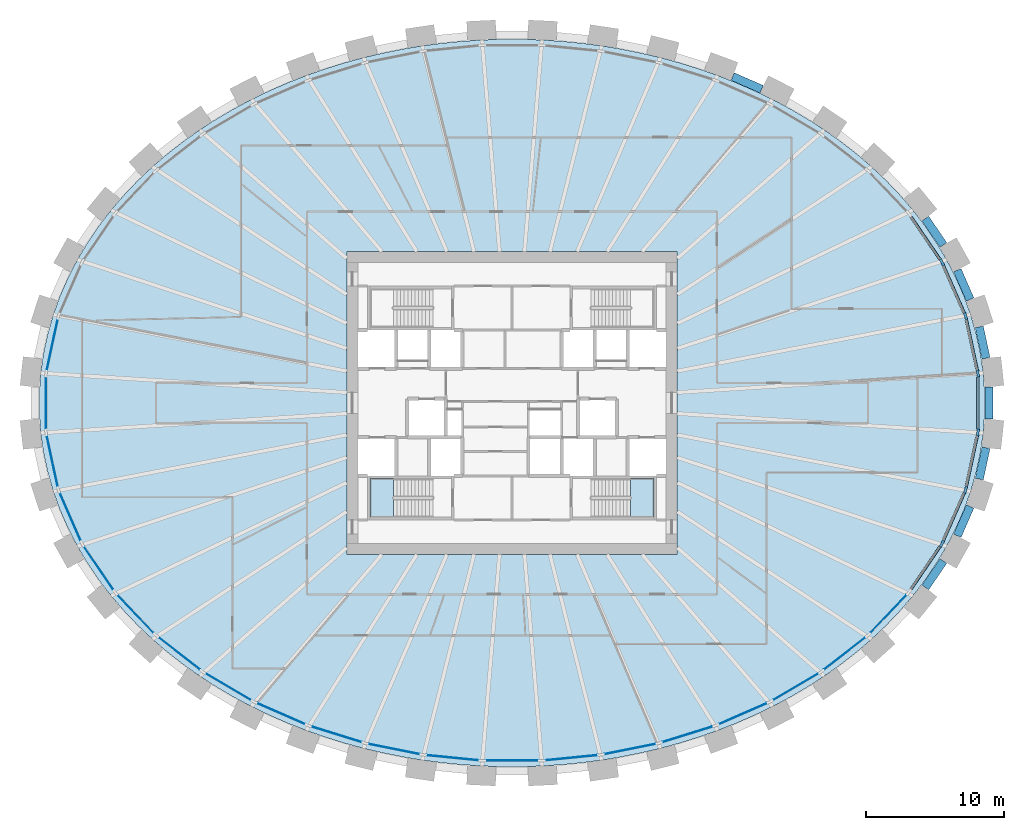
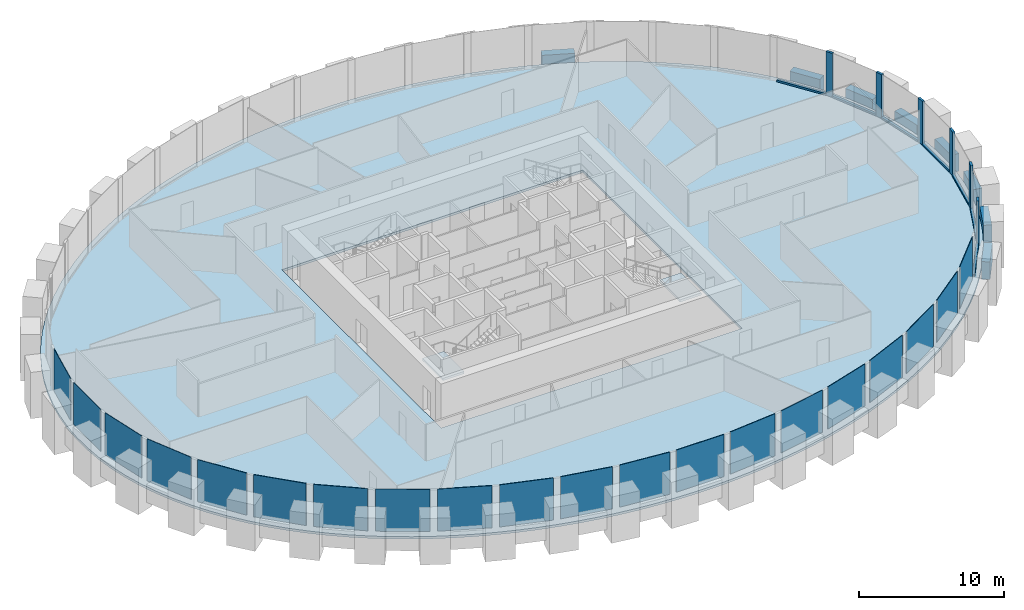
# One storey, part 4 of 11: 20 plates, 13 members, 8 beams, 3 slabs, 3 elements without a shape of their own.
"""IFC4 building model written with IfcOpenShell, lengths in metres."""

from ifc_helpers import new_model, si_unit, direction, frame, origin, origin_2d, place, context, subcontext, project, spatial, polyline, rectangle, outline, extrude, source, transform, mapped, material, layer, layer_set, material_profile, profile_set, type_object, element, aggregate, save


model = new_model("IFC4")

# Units and contexts
model_context = context("Model", 3, precision=1e-05, world=origin(), true_north=direction((0.0, 1.0)))
body_context = subcontext(model_context, "Body", "Model", "MODEL_VIEW")
ifc_project = project(units=[si_unit("LENGTHUNIT", "METRE"), si_unit("AREAUNIT", "SQUARE_METRE"), si_unit("VOLUMEUNIT", "CUBIC_METRE"), si_unit("PLANEANGLEUNIT", "RADIAN"), si_unit("MASSUNIT", "GRAM", prefix="KILO")], contexts=[model_context])

# Site, building, storey
site_placement = place(None, origin())
site = spatial("IfcSite", under=ifc_project, at=site_placement, CompositionType="ELEMENT")
building_placement = place(site_placement, origin())
building = spatial("IfcBuilding", under=site, at=building_placement, Name="Embergate Tower", CompositionType="ELEMENT")
storey_placement = place(building_placement, frame((0.0, 0.0, 226.800048828125)))
storey = spatial("IfcBuildingStorey", under=building, at=storey_placement, Name="L52", CompositionType="ELEMENT", Elevation=226.800048828125)

# Beams
ifc_material_1 = material(Name="Concrete C60", Category="concrete")
ifc_material_profile_1 = material_profile(ifc_material_1, rectangle(XDim=0.60009765625, YDim=1.5, at=origin_2d()), Name="RC 600x1500")
ifc_profile_set_1 = profile_set([ifc_material_profile_1], Name="Concrete C60")
beam_type = type_object("IfcBeamType", Name="Spandrel beam RC 600x1500 C60", PredefinedType="BEAM", material=ifc_profile_set_1)
shared_shape_1 = source(origin(), body_context, "Body", "SweptSolid", [
    extrude(rectangle(XDim=0.60009765625, YDim=1.5, at=origin_2d()), origin(), (0.0, 0.0, 1.0), 2.326171875),
])
for number, where, z_axis, x_axis, name in (
    (1, (34.43701171875, 3.2529296875, 0.0), (-0.210224296762, 0.977653182397, 0.0), (-0.977653182397, -0.210224296762, 0.0), "SPN-L52-00"),
    (2, (33.947998046875, -5.527099609375, 0.0), (0.210224296762, 0.977653182397, 0.0), (-0.977653182397, 0.210224296762, 0.0), "SPN-L52-42"),
):
    element("IfcBeam", number, at=place(storey_placement, frame(where, z_axis=z_axis, x_axis=x_axis)), inside=storey, type_object=beam_type, Name=name, PredefinedType="BEAM", context=body_context, shape_type="MappedRepresentation", body=[
        mapped(shared_shape_1, transform((0.0, 0.0, 0.0))),
    ])
shared_shape_2 = source(origin(), body_context, "Body", "SweptSolid", [
    extrude(rectangle(XDim=0.60009765625, YDim=1.5, at=origin_2d()), origin(), (0.0, 0.0, 1.0), 2.3193359375),
])
for number, where, z_axis, x_axis, name in (
    (3, (33.282958984375, 7.51904296875, 0.0), (-0.401768353021, 0.915741333844, 0.0), (-0.915741333844, -0.401768353021, 0.0), "SPN-L52-01"),
    (4, (32.35107421875, -9.64306640625, 0.0), (0.401768353021, 0.915741333844, 0.0), (-0.915741333844, 0.401768353021, 0.0), "SPN-L52-41"),
):
    element("IfcBeam", number, at=place(storey_placement, frame(where, z_axis=z_axis, x_axis=x_axis)), inside=storey, type_object=beam_type, Name=name, PredefinedType="BEAM", context=body_context, shape_type="MappedRepresentation", body=[
        mapped(shared_shape_2, transform((0.0, 0.0, 0.0))),
    ])
shared_shape_3 = source(origin(), body_context, "Body", "SweptSolid", [
    extrude(rectangle(XDim=0.60009765625, YDim=1.5, at=origin_2d()), origin(), (0.0, 0.0, 1.0), 2.315673828125),
])
for number, where, z_axis, x_axis, name in (
    (5, (31.3349609375, 11.47998046875, 0.0), (-0.562243694996, 0.82697160014, 0.0), (-0.82697160014, -0.562243694996, 0.0), "SPN-L52-02"),
    (6, (30.032958984375, -13.39501953125, 0.0), (0.562243694996, 0.82697160014, 0.0), (-0.82697160014, 0.562243694996, 0.0), "SPN-L52-40"),
):
    element("IfcBeam", number, at=place(storey_placement, frame(where, z_axis=z_axis, x_axis=x_axis)), inside=storey, type_object=beam_type, Name=name, PredefinedType="BEAM", context=body_context, shape_type="MappedRepresentation", body=[
        mapped(shared_shape_3, transform((0.0, 0.0, 0.0))),
    ])
shared_shape_4 = source(origin(), body_context, "Body", "SweptSolid", [
    extrude(rectangle(XDim=0.60009765625, YDim=1.5, at=origin_2d()), origin(), (0.0, 0.0, 1.0), 2.294189453125),
])
beam_1_placement = place(storey_placement, frame((18.135986328125, 22.7939453125, 0.0), z_axis=(-0.916269649714, 0.400562016437, 0.0), x_axis=(-0.400562016437, -0.916269649714, 0.0)))
element("IfcBeam", 7, at=beam_1_placement, inside=storey, type_object=beam_type, Name="SPN-L52-06", PredefinedType="BEAM", context=body_context, shape_type="MappedRepresentation", body=[
    mapped(shared_shape_4, transform((0.0, 0.0, 0.0))),
])
shared_shape_5 = source(origin(), body_context, "Body", "SweptSolid", [
    extrude(rectangle(XDim=0.60009765625, YDim=1.5, at=origin_2d()), origin(), (0.0, 0.0, 1.0), 2.328125),
])
beam_2_placement = place(storey_placement, frame((34.658935546875, -1.1640625, 0.0), z_axis=(0.0, 1.0, 0.0), x_axis=(-1.0, 0.0, 0.0)))
element("IfcBeam", 8, at=beam_2_placement, inside=storey, type_object=beam_type, Name="SPN-L52-43", PredefinedType="BEAM", context=body_context, shape_type="MappedRepresentation", body=[
    mapped(shared_shape_5, transform((0.0, 0.0, 0.0))),
])

# Curtain wall, members
ifc_material_2 = material(Name="Aluminium and glass", Category="aluminium")
curtain_wall_type = type_object("IfcCurtainWallType", Name="Recessed office glazing", PredefinedType="NOTDEFINED", material=ifc_material_2)
curtain_wall_placement = place(storey_placement, origin())
curtain_wall = element("IfcCurtainWall", 9, at=curtain_wall_placement, inside=storey, type_object=curtain_wall_type, Name="Recessed office glazing ring", ObjectType="RECESSED OFFICE GLAZING", PredefinedType="USERDEFINED")
ifc_material_3 = material(Name="Aluminium, thermally broken", Category="aluminium")
ifc_material_profile_2 = material_profile(ifc_material_3, rectangle(XDim=0.179931640625, YDim=0.52001953125, at=origin_2d()), Name="AL 520x180")
ifc_profile_set_2 = profile_set([ifc_material_profile_2], Name="Aluminium, thermally broken")
member_type_1 = type_object("IfcMemberType", Name="Office mullion", PredefinedType="MULLION", material=ifc_profile_set_2)
shared_shape_6 = source(origin(), body_context, "Body", "SweptSolid", [
    extrude(rectangle(XDim=0.179931640625, YDim=0.52001953125, at=origin_2d()), origin(), (0.0, 0.0, 1.0), 3.699951171875),
])
member_1_placement = place(storey_placement, frame((33.851806640625, 2.13330078125, 0.0), z_axis=(0.0, 0.0, 1.0), x_axis=(-0.994384770038, -0.105824992874, 0.0)))
member_1 = element("IfcMember", 10, at=member_1_placement, type_object=member_type_1, Name="CW mullion 1", PredefinedType="MULLION", context=body_context, shape_type="MappedRepresentation", body=[
    mapped(shared_shape_6, transform((0.0, 0.0, 0.0))),
])
member_2_placement = place(storey_placement, frame((32.953369140625, 6.307373046875, 0.0), z_axis=(0.0, 0.0, 1.0), x_axis=(-0.951497261031, -0.307657215503, 0.0)))
member_2 = element("IfcMember", 11, at=member_2_placement, type_object=member_type_1, Name="CW mullion 2", PredefinedType="MULLION", context=body_context, shape_type="MappedRepresentation", body=[
    mapped(shared_shape_6, transform((0.0, 0.0, 0.0))),
])
member_3_placement = place(storey_placement, frame((31.23583984375, 10.2236328125, 0.0), z_axis=(0.0, 0.0, 1.0), x_axis=(-0.875001050883, -0.484121018914, 0.0)))
member_3 = element("IfcMember", 12, at=member_3_placement, type_object=member_type_1, Name="CW mullion 3", PredefinedType="MULLION", context=body_context, shape_type="MappedRepresentation", body=[
    mapped(shared_shape_6, transform((0.0, 0.0, 0.0))),
])
member_4_placement = place(storey_placement, frame((31.23583984375, -10.2236328125, 0.0), z_axis=(0.0, 0.0, 1.0), x_axis=(-0.875001050883, 0.484121018914, 0.0)))
member_4 = element("IfcMember", 13, at=member_4_placement, type_object=member_type_1, Name="CW mullion 42", PredefinedType="MULLION", context=body_context, shape_type="MappedRepresentation", body=[
    mapped(shared_shape_6, transform((0.0, 0.0, 0.0))),
])
member_5_placement = place(storey_placement, frame((32.953369140625, -6.307373046875, 0.0), z_axis=(0.0, 0.0, 1.0), x_axis=(-0.951497261031, 0.307657215503, 0.0)))
member_5 = element("IfcMember", 14, at=member_5_placement, type_object=member_type_1, Name="CW mullion 43", PredefinedType="MULLION", context=body_context, shape_type="MappedRepresentation", body=[
    mapped(shared_shape_6, transform((0.0, 0.0, 0.0))),
])
member_6_placement = place(storey_placement, frame((33.851806640625, -2.13330078125, 0.0), z_axis=(0.0, 0.0, 1.0), x_axis=(-0.994384770038, 0.105824992874, 0.0)))
member_6 = element("IfcMember", 15, at=member_6_placement, type_object=member_type_1, Name="CW mullion 44", PredefinedType="MULLION", context=body_context, shape_type="MappedRepresentation", body=[
    mapped(shared_shape_6, transform((0.0, 0.0, 0.0))),
])
ifc_material_profile_3 = material_profile(ifc_material_3, rectangle(XDim=0.179931640625, YDim=0.14990234375, at=origin_2d()), Name="AL 150x180")
ifc_profile_set_3 = profile_set([ifc_material_profile_3], Name="Aluminium, thermally broken")
member_type_2 = type_object("IfcMemberType", Name="Office sill transom", PredefinedType="USERDEFINED", material=ifc_profile_set_3)
shared_shape_7 = source(origin(), body_context, "Body", "SweptSolid", [
    extrude(rectangle(XDim=0.179931640625, YDim=0.14990234375, at=origin_2d()), origin(), (0.0, 0.0, 1.0), 3.74951171875),
])
member_7_placement = place(storey_placement, frame((33.797119140625, 2.3876953125, 0.074951171875), z_axis=(-0.210445024694, 0.977605693305, 0.0), x_axis=(-0.977605693305, -0.210445024694, 0.0)))
member_7 = element("IfcMember", 16, at=member_7_placement, type_object=member_type_2, Name="CW transom 1.1", ObjectType="TRANSOM", PredefinedType="USERDEFINED", context=body_context, shape_type="MappedRepresentation", body=[
    mapped(shared_shape_7, transform((0.0, 0.0, 0.0))),
])
member_8_placement = place(storey_placement, frame((33.008056640625, -6.05322265625, 0.074951171875), z_axis=(0.210445024694, 0.977605693305, 0.0), x_axis=(-0.977605693305, 0.210445024694, 0.0)))
member_8 = element("IfcMember", 17, at=member_8_placement, type_object=member_type_2, Name="CW transom 43.1", ObjectType="TRANSOM", PredefinedType="USERDEFINED", context=body_context, shape_type="MappedRepresentation", body=[
    mapped(shared_shape_7, transform((0.0, 0.0, 0.0))),
])
shared_shape_8 = source(origin(), body_context, "Body", "SweptSolid", [
    extrude(rectangle(XDim=0.179931640625, YDim=0.14990234375, at=origin_2d()), origin(), (0.0, 0.0, 1.0), 3.756591796875),
])
member_9_placement = place(storey_placement, frame((32.848876953125, 6.54541015625, 0.074951171875), z_axis=(-0.401647151286, 0.9157944998, 0.0), x_axis=(-0.9157944998, -0.401647151286, 0.0)))
member_9 = element("IfcMember", 18, at=member_9_placement, type_object=member_type_2, Name="CW transom 2.1", ObjectType="TRANSOM", PredefinedType="USERDEFINED", context=body_context, shape_type="MappedRepresentation", body=[
    mapped(shared_shape_8, transform((0.0, 0.0, 0.0))),
])
member_10_placement = place(storey_placement, frame((31.340087890625, -9.985595703125, 0.074951171875), z_axis=(0.401647151286, 0.9157944998, 0.0), x_axis=(-0.9157944998, 0.401647151286, 0.0)))
member_10 = element("IfcMember", 19, at=member_10_placement, type_object=member_type_2, Name="CW transom 42.1", ObjectType="TRANSOM", PredefinedType="USERDEFINED", context=body_context, shape_type="MappedRepresentation", body=[
    mapped(shared_shape_8, transform((0.0, 0.0, 0.0))),
])
shared_shape_9 = source(origin(), body_context, "Body", "SweptSolid", [
    extrude(rectangle(XDim=0.179931640625, YDim=0.14990234375, at=origin_2d()), origin(), (0.0, 0.0, 1.0), 3.764892578125),
])
member_11_placement = place(storey_placement, frame((31.089599609375, 10.438720703125, 0.074951171875), z_axis=(-0.562338399761, 0.826907204077, 0.0), x_axis=(-0.826907204077, -0.562338399761, 0.0)))
member_11 = element("IfcMember", 20, at=member_11_placement, type_object=member_type_2, Name="CW transom 3.1", ObjectType="TRANSOM", PredefinedType="USERDEFINED", context=body_context, shape_type="MappedRepresentation", body=[
    mapped(shared_shape_9, transform((0.0, 0.0, 0.0))),
])
member_12_placement = place(storey_placement, frame((28.972412109375, -13.552001953125, 0.074951171875), z_axis=(0.562338399761, 0.826907204077, 0.0), x_axis=(-0.826907204077, 0.562338399761, 0.0)))
member_12 = element("IfcMember", 21, at=member_12_placement, type_object=member_type_2, Name="CW transom 41.1", ObjectType="TRANSOM", PredefinedType="USERDEFINED", context=body_context, shape_type="MappedRepresentation", body=[
    mapped(shared_shape_9, transform((0.0, 0.0, 0.0))),
])
shared_shape_10 = source(origin(), body_context, "Body", "SweptSolid", [
    extrude(rectangle(XDim=0.179931640625, YDim=0.14990234375, at=origin_2d()), origin(), (0.0, 0.0, 1.0), 3.74658203125),
])
member_13_placement = place(storey_placement, frame((33.851806640625, -1.873291015625, 0.074951171875), z_axis=(0.0, 1.0, 0.0), x_axis=(-1.0, 0.0, 0.0)))
member_13 = element("IfcMember", 22, at=member_13_placement, type_object=member_type_2, Name="CW transom 44.1", ObjectType="TRANSOM", PredefinedType="USERDEFINED", context=body_context, shape_type="MappedRepresentation", body=[
    mapped(shared_shape_10, transform((0.0, 0.0, 0.0))),
])

# Slab
ifc_material_4 = material(Name="Concrete C40", Category="concrete")
ifc_layer_1 = layer(ifc_material_4, 0.199951171875)
ifc_layer_set_1 = layer_set([ifc_layer_1], Name="Concrete C40")
slab_type_1 = type_object("IfcSlabType", Name="Composite floor slab C40 200", PredefinedType="FLOOR", material=ifc_layer_set_1)
shared_shape_11 = source(origin(), body_context, "Body", "SweptSolid", [
    extrude(outline(polyline([(0.0, 0.0), (1.4541015625, 0.0), (2.905029296875, 0.047119140625), (4.358154296875, 0.14208984375), (5.803955078125, 0.2841796875), (7.240966796875, 0.47314453125), (8.679931640625, 0.712158203125), (10.10498046875, 0.998046875), (11.512939453125, 1.330078125), (12.923095703125, 1.715087890625), (14.31005859375, 2.147216796875), (15.672119140625, 2.625), (17.0361328125, 3.1611328125), (18.366943359375, 3.744140625), (19.6630859375, 4.37109375), (20.9580078125, 5.06201171875), (22.2109375, 5.798095703125), (23.41796875, 6.578125), (24.616943359375, 7.42919921875), (25.761962890625, 8.322998046875), (26.85107421875, 9.258056640625), (27.9189453125, 10.27001953125), (28.922119140625, 11.321044921875), (29.85595703125, 12.4091796875), (30.7509765625, 13.576171875), (31.568115234375, 14.777099609375), (32.302978515625, 16.008056640625), (32.97705078125, 17.31201171875), (33.56103515625, 18.64208984375), (34.051025390625, 19.994140625), (34.4560546875, 21.398193359375), (34.761962890625, 22.817138671875), (34.966064453125, 24.2470703125), (35.070068359375, 25.696044921875), (35.070068359375, 27.148193359375), (34.966064453125, 28.59716796875), (34.761962890625, 30.027099609375), (34.4560546875, 31.446044921875), (34.051025390625, 32.85009765625), (33.56103515625, 34.2021484375), (32.97705078125, 35.5322265625), (32.302978515625, 36.836181640625), (31.568115234375, 38.067138671875), (30.7509765625, 39.26806640625), (29.85595703125, 40.43505859375), (28.922119140625, 41.523193359375), (27.9189453125, 42.57421875), (26.85107421875, 43.586181640625), (25.761962890625, 44.521240234375), (24.616943359375, 45.4150390625), (23.41796875, 46.26611328125), (22.2109375, 47.046142578125), (20.9580078125, 47.7822265625), (19.6630859375, 48.47314453125), (18.366943359375, 49.10009765625), (17.0361328125, 49.68310546875), (15.672119140625, 50.21923828125), (14.31005859375, 50.697021484375), (12.923095703125, 51.129150390625), (11.512939453125, 51.51416015625), (10.10498046875, 51.84619140625), (8.679931640625, 52.132080078125), (7.240966796875, 52.37109375), (5.803955078125, 52.56005859375), (4.358154296875, 52.7021484375), (2.905029296875, 52.797119140625), (1.4541015625, 52.84423828125), (0.0, 52.84423828125), (-1.450927734375, 52.797119140625), (-2.904052734375, 52.7021484375), (-4.349853515625, 52.56005859375), (-5.786865234375, 52.37109375), (-7.225830078125, 52.132080078125), (-8.65087890625, 51.84619140625), (-10.058837890625, 51.51416015625), (-11.468994140625, 51.129150390625), (-12.85595703125, 50.697021484375), (-14.218017578125, 50.21923828125), (-15.58203125, 49.68310546875), (-16.912841796875, 49.10009765625), (-18.208984375, 48.47314453125), (-19.50390625, 47.7822265625), (-20.7568359375, 47.046142578125), (-21.9638671875, 46.26611328125), (-23.162841796875, 45.4150390625), (-24.307861328125, 44.521240234375), (-25.39697265625, 43.586181640625), (-26.46484375, 42.57421875), (-27.468017578125, 41.523193359375), (-28.40185546875, 40.43505859375), (-29.296875, 39.26806640625), (-30.114013671875, 38.067138671875), (-30.848876953125, 36.836181640625), (-31.52294921875, 35.5322265625), (-32.10693359375, 34.2021484375), (-32.596923828125, 32.85009765625), (-33.001953125, 31.446044921875), (-33.307861328125, 30.027099609375), (-33.511962890625, 28.59716796875), (-33.615966796875, 27.148193359375), (-33.615966796875, 25.696044921875), (-33.511962890625, 24.2470703125), (-33.307861328125, 22.817138671875), (-33.001953125, 21.398193359375), (-32.596923828125, 19.994140625), (-32.10693359375, 18.64208984375), (-31.52294921875, 17.31201171875), (-30.848876953125, 16.008056640625), (-30.114013671875, 14.777099609375), (-29.296875, 13.576171875), (-28.40185546875, 12.4091796875), (-27.468017578125, 11.321044921875), (-26.46484375, 10.27001953125), (-25.39697265625, 9.258056640625), (-24.307861328125, 8.322998046875), (-23.162841796875, 7.42919921875), (-21.9638671875, 6.578125), (-20.7568359375, 5.798095703125), (-19.50390625, 5.06201171875), (-18.208984375, 4.37109375), (-16.912841796875, 3.744140625), (-15.58203125, 3.1611328125), (-14.218017578125, 2.625), (-12.85595703125, 2.147216796875), (-11.468994140625, 1.715087890625), (-10.058837890625, 1.330078125), (-8.65087890625, 0.998046875), (-7.225830078125, 0.712158203125), (-5.786865234375, 0.47314453125), (-4.349853515625, 0.2841796875), (-2.904052734375, 0.14208984375), (-1.450927734375, 0.047119140625), (0.0, 0.0)]), holes=[polyline([(-11.27294921875, 15.422119140625), (-11.27294921875, 37.422119140625), (12.72705078125, 37.422119140625), (12.72705078125, 15.422119140625), (-11.27294921875, 15.422119140625)])]), origin(), (0.0, 0.0, 1.0), 0.199951171875),
])
slab_1_placement = place(storey_placement, frame((-0.72705078125, -26.422119140625, -0.199951171875)))
element("IfcSlab", 23, at=slab_1_placement, inside=storey, type_object=slab_type_1, Name="SLB-L52-00", PredefinedType="FLOOR", context=body_context, shape_type="MappedRepresentation", body=[
    mapped(shared_shape_11, transform((0.0, 0.0, 0.0))),
])

# Plate
ifc_material_5 = material(Name="Triple glazing, low-emissivity coating", Category="glass")
ifc_layer_2 = layer(ifc_material_5, 0.035888671875)
ifc_layer_set_2 = layer_set([ifc_layer_2], Name="Triple glazing, low-emissivity coating")
plate_type = type_object("IfcPlateType", Name="Office glazing unit", PredefinedType="CURTAIN_PANEL", material=ifc_layer_set_2)
shared_shape_12 = source(origin(), body_context, "Body", "SweptSolid", [
    extrude(rectangle(XDim=3.74951171875, YDim=0.035888671875, at=origin_2d()), origin(), (0.0, 0.0, 1.0), 3.550048828125),
])
plate_1_placement = place(storey_placement, frame((-33.402587890625, 4.220458984375, 0.14990234375), z_axis=(0.0, 0.0, 1.0), x_axis=(-0.210396684915, -0.977616097953, 0.0)))
plate_1 = element("IfcPlate", 24, at=plate_1_placement, type_object=plate_type, Name="CW panel 21.1", PredefinedType="CURTAIN_PANEL", context=body_context, shape_type="MappedRepresentation", body=[
    mapped(shared_shape_12, transform((0.0, 0.0, 0.0))),
])

plate_2_placement = place(storey_placement, frame((-33.402587890625, -4.220458984375, 0.14990234375), z_axis=(0.0, 0.0, 1.0), x_axis=(0.210396684915, -0.977616097953, 0.0)))
plate_2 = element("IfcPlate", 25, at=plate_2_placement, type_object=plate_type, Name="CW panel 23.1", PredefinedType="CURTAIN_PANEL", context=body_context, shape_type="MappedRepresentation", body=[
    mapped(shared_shape_12, transform((0.0, 0.0, 0.0))),
])

shared_shape_13 = source(origin(), body_context, "Body", "SweptSolid", [
    extrude(rectangle(XDim=3.75634765625, YDim=0.035888671875, at=origin_2d()), origin(), (0.0, 0.0, 1.0), 3.550048828125),
])
plate_3_placement = place(storey_placement, frame((-32.094482421875, -8.265625, 0.14990234375), z_axis=(0.0, 0.0, 1.0), x_axis=(0.401648904437, -0.915793730905, 0.0)))
plate_3 = element("IfcPlate", 26, at=plate_3_placement, type_object=plate_type, Name="CW panel 24.1", PredefinedType="CURTAIN_PANEL", context=body_context, shape_type="MappedRepresentation", body=[
    mapped(shared_shape_13, transform((0.0, 0.0, 0.0))),
])

shared_shape_14 = source(origin(), body_context, "Body", "SweptSolid", [
    extrude(rectangle(XDim=3.76513671875, YDim=0.035888671875, at=origin_2d()), origin(), (0.0, 0.0, 1.0), 3.550048828125),
])
plate_4_placement = place(storey_placement, frame((-30.031005859375, -11.995361328125, 0.14990234375), z_axis=(0.0, 0.0, 1.0), x_axis=(0.562338855469, -0.826906894172, 0.0)))
plate_4 = element("IfcPlate", 27, at=plate_4_placement, type_object=plate_type, Name="CW panel 25.1", PredefinedType="CURTAIN_PANEL", context=body_context, shape_type="MappedRepresentation", body=[
    mapped(shared_shape_14, transform((0.0, 0.0, 0.0))),
])

shared_shape_15 = source(origin(), body_context, "Body", "SweptSolid", [
    extrude(rectangle(XDim=3.773681640625, YDim=0.035888671875, at=origin_2d()), origin(), (0.0, 0.0, 1.0), 3.550048828125),
])
plate_5_placement = place(storey_placement, frame((-27.344482421875, -15.32080078125, 0.14990234375), z_axis=(0.0, 0.0, 1.0), x_axis=(0.690129995266, -0.723685421737, 0.0)))
plate_5 = element("IfcPlate", 28, at=plate_5_placement, type_object=plate_type, Name="CW panel 26.1", PredefinedType="CURTAIN_PANEL", context=body_context, shape_type="MappedRepresentation", body=[
    mapped(shared_shape_15, transform((0.0, 0.0, 0.0))),
])

plate_6_placement = place(storey_placement, frame((27.344482421875, -15.32080078125, 0.14990234375), z_axis=(0.0, 0.0, 1.0), x_axis=(0.690129995266, 0.723685421737, 0.0)))
plate_6 = element("IfcPlate", 29, at=plate_6_placement, type_object=plate_type, Name="CW panel 40.1", PredefinedType="CURTAIN_PANEL", context=body_context, shape_type="MappedRepresentation", body=[
    mapped(shared_shape_15, transform((0.0, 0.0, 0.0))),
])

shared_shape_16 = source(origin(), body_context, "Body", "SweptSolid", [
    extrude(rectangle(XDim=3.781005859375, YDim=0.035888671875, at=origin_2d()), origin(), (0.0, 0.0, 1.0), 3.550048828125),
])
plate_7_placement = place(storey_placement, frame((-24.16748046875, -18.197509765625, 0.14990234375), z_axis=(0.0, 0.0, 1.0), x_axis=(0.788316897722, -0.615269427784, 0.0)))
plate_7 = element("IfcPlate", 30, at=plate_7_placement, type_object=plate_type, Name="CW panel 27.1", PredefinedType="CURTAIN_PANEL", context=body_context, shape_type="MappedRepresentation", body=[
    mapped(shared_shape_16, transform((0.0, 0.0, 0.0))),
])

plate_8_placement = place(storey_placement, frame((24.16748046875, -18.197509765625, 0.14990234375), z_axis=(0.0, 0.0, 1.0), x_axis=(0.788316897722, 0.615269427784, 0.0)))
plate_8 = element("IfcPlate", 31, at=plate_8_placement, type_object=plate_type, Name="CW panel 39.1", PredefinedType="CURTAIN_PANEL", context=body_context, shape_type="MappedRepresentation", body=[
    mapped(shared_shape_16, transform((0.0, 0.0, 0.0))),
])

shared_shape_17 = source(origin(), body_context, "Body", "SweptSolid", [
    extrude(rectangle(XDim=3.787109375, YDim=0.035888671875, at=origin_2d()), origin(), (0.0, 0.0, 1.0), 3.550048828125),
])
plate_9_placement = place(storey_placement, frame((-20.61572265625, -20.6123046875, 0.14990234375), z_axis=(0.0, 0.0, 1.0), x_axis=(0.862050514108, -0.506822366443, 0.0)))
plate_9 = element("IfcPlate", 32, at=plate_9_placement, type_object=plate_type, Name="CW panel 28.1", PredefinedType="CURTAIN_PANEL", context=body_context, shape_type="MappedRepresentation", body=[
    mapped(shared_shape_17, transform((0.0, 0.0, 0.0))),
])

plate_10_placement = place(storey_placement, frame((20.61572265625, -20.6123046875, 0.14990234375), z_axis=(0.0, 0.0, 1.0), x_axis=(0.862050514108, 0.506822366443, 0.0)))
plate_10 = element("IfcPlate", 33, at=plate_10_placement, type_object=plate_type, Name="CW panel 38.1", PredefinedType="CURTAIN_PANEL", context=body_context, shape_type="MappedRepresentation", body=[
    mapped(shared_shape_17, transform((0.0, 0.0, 0.0))),
])

shared_shape_18 = source(origin(), body_context, "Body", "SweptSolid", [
    extrude(rectangle(XDim=3.79150390625, YDim=0.035888671875, at=origin_2d()), origin(), (0.0, 0.0, 1.0), 3.550048828125),
])
plate_11_placement = place(storey_placement, frame((-16.7841796875, -22.5673828125, 0.14990234375), z_axis=(0.0, 0.0, 1.0), x_axis=(0.91623411399, -0.400643293168, 0.0)))
plate_11 = element("IfcPlate", 34, at=plate_11_placement, type_object=plate_type, Name="CW panel 29.1", PredefinedType="CURTAIN_PANEL", context=body_context, shape_type="MappedRepresentation", body=[
    mapped(shared_shape_18, transform((0.0, 0.0, 0.0))),
])

plate_12_placement = place(storey_placement, frame((16.7841796875, -22.5673828125, 0.14990234375), z_axis=(0.0, 0.0, 1.0), x_axis=(0.91623411399, 0.400643293168, 0.0)))
plate_12 = element("IfcPlate", 35, at=plate_12_placement, type_object=plate_type, Name="CW panel 37.1", PredefinedType="CURTAIN_PANEL", context=body_context, shape_type="MappedRepresentation", body=[
    mapped(shared_shape_18, transform((0.0, 0.0, 0.0))),
])

shared_shape_19 = source(origin(), body_context, "Body", "SweptSolid", [
    extrude(rectangle(XDim=3.794921875, YDim=0.035888671875, at=origin_2d()), origin(), (0.0, 0.0, 1.0), 3.550048828125),
])
plate_13_placement = place(storey_placement, frame((-12.749267578125, -24.072509765625, 0.14990234375), z_axis=(0.0, 0.0, 1.0), x_axis=(0.954770660302, -0.297343212847, 0.0)))
plate_13 = element("IfcPlate", 36, at=plate_13_placement, type_object=plate_type, Name="CW panel 30.1", PredefinedType="CURTAIN_PANEL", context=body_context, shape_type="MappedRepresentation", body=[
    mapped(shared_shape_19, transform((0.0, 0.0, 0.0))),
])

plate_14_placement = place(storey_placement, frame((12.749267578125, -24.072509765625, 0.14990234375), z_axis=(0.0, 0.0, 1.0), x_axis=(0.954770660302, 0.297343212847, 0.0)))
plate_14 = element("IfcPlate", 37, at=plate_14_placement, type_object=plate_type, Name="CW panel 36.1", PredefinedType="CURTAIN_PANEL", context=body_context, shape_type="MappedRepresentation", body=[
    mapped(shared_shape_19, transform((0.0, 0.0, 0.0))),
])

shared_shape_20 = source(origin(), body_context, "Body", "SweptSolid", [
    extrude(rectangle(XDim=3.796875, YDim=0.035888671875, at=origin_2d()), origin(), (0.0, 0.0, 1.0), 3.550048828125),
])
plate_15_placement = place(storey_placement, frame((-8.572998046875, -25.138427734375, 0.14990234375), z_axis=(0.0, 0.0, 1.0), x_axis=(0.980475221003, -0.196642673395, 0.0)))
plate_15 = element("IfcPlate", 38, at=plate_15_placement, type_object=plate_type, Name="CW panel 31.1", PredefinedType="CURTAIN_PANEL", context=body_context, shape_type="MappedRepresentation", body=[
    mapped(shared_shape_20, transform((0.0, 0.0, 0.0))),
])

plate_16_placement = place(storey_placement, frame((8.572998046875, -25.138427734375, 0.14990234375), z_axis=(0.0, 0.0, 1.0), x_axis=(0.980475221003, 0.196642673395, 0.0)))
plate_16 = element("IfcPlate", 39, at=plate_16_placement, type_object=plate_type, Name="CW panel 35.1", PredefinedType="CURTAIN_PANEL", context=body_context, shape_type="MappedRepresentation", body=[
    mapped(shared_shape_20, transform((0.0, 0.0, 0.0))),
])

shared_shape_21 = source(origin(), body_context, "Body", "SweptSolid", [
    extrude(rectangle(XDim=3.798095703125, YDim=0.035888671875, at=origin_2d()), origin(), (0.0, 0.0, 1.0), 3.550048828125),
])
plate_17_placement = place(storey_placement, frame((-4.30810546875, -25.774169921875, 0.14990234375), z_axis=(0.0, 0.0, 1.0), x_axis=(0.995203014042, -0.097831287645, 0.0)))
plate_17 = element("IfcPlate", 40, at=plate_17_placement, type_object=plate_type, Name="CW panel 32.1", PredefinedType="CURTAIN_PANEL", context=body_context, shape_type="MappedRepresentation", body=[
    mapped(shared_shape_21, transform((0.0, 0.0, 0.0))),
])

plate_18_placement = place(storey_placement, frame((4.30810546875, -25.774169921875, 0.14990234375), z_axis=(0.0, 0.0, 1.0), x_axis=(0.995203014042, 0.097831287645, 0.0)))
plate_18 = element("IfcPlate", 41, at=plate_18_placement, type_object=plate_type, Name="CW panel 34.1", PredefinedType="CURTAIN_PANEL", context=body_context, shape_type="MappedRepresentation", body=[
    mapped(shared_shape_21, transform((0.0, 0.0, 0.0))),
])

shared_shape_22 = source(origin(), body_context, "Body", "SweptSolid", [
    extrude(rectangle(XDim=3.798583984375, YDim=0.035888671875, at=origin_2d()), origin(), (0.0, 0.0, 1.0), 3.550048828125),
])
plate_19_placement = place(storey_placement, frame((0.0, -25.9853515625, 0.14990234375), z_axis=(0.0, 0.0, 1.0), x_axis=(1.0, 0.0, 0.0)))
plate_19 = element("IfcPlate", 42, at=plate_19_placement, type_object=plate_type, Name="CW panel 33.1", PredefinedType="CURTAIN_PANEL", context=body_context, shape_type="MappedRepresentation", body=[
    mapped(shared_shape_22, transform((0.0, 0.0, 0.0))),
])

shared_shape_23 = source(origin(), body_context, "Body", "SweptSolid", [
    extrude(rectangle(XDim=3.746826171875, YDim=0.035888671875, at=origin_2d()), origin(), (0.0, 0.0, 1.0), 3.550048828125),
])
plate_20_placement = place(storey_placement, frame((-33.851806640625, 0.0, 0.14990234375), z_axis=(0.0, 0.0, 1.0), x_axis=(0.0, -1.0, 0.0)))
plate_20 = element("IfcPlate", 43, at=plate_20_placement, type_object=plate_type, Name="CW panel 22.1", PredefinedType="CURTAIN_PANEL", context=body_context, shape_type="MappedRepresentation", body=[
    mapped(shared_shape_23, transform((0.0, 0.0, 0.0))),
])

aggregate(curtain_wall, [member_1, member_2, member_3, member_4, member_5, member_6, member_7, member_9, member_11, plate_1, plate_20, plate_2, plate_3, plate_4, plate_5, plate_7, plate_9, plate_11, plate_13, plate_15, plate_17, plate_19, plate_18, plate_16, plate_14, plate_12, plate_10, plate_8, plate_6, member_12, member_10, member_8, member_13])

# Stair, slab
ifc_material_6 = material(Name="Exit stair")
stair_type = type_object("IfcStairType", Name="Exit stair", PredefinedType="HALF_TURN_STAIR", material=ifc_material_6)
stair_1_placement = place(storey_placement, origin())
stair_1 = element("IfcStair", 44, at=stair_1_placement, inside=storey, type_object=stair_type, Name="L52 Exit stair 3", PredefinedType="HALF_TURN_STAIR")
ifc_layer_3 = layer(ifc_material_4, 0.199951171875)
ifc_layer_set_3 = layer_set([ifc_layer_3], Name="Concrete C40")
slab_type_2 = type_object("IfcSlabType", Name="Stair landing reinforced concrete", PredefinedType="LANDING", material=ifc_layer_set_3)
shared_shape_24 = source(origin(), body_context, "Body", "SweptSolid", [
    extrude(outline(polyline([(0.0, 0.0), (1.68994140625, 0.0), (1.68994140625, 2.800048828125), (0.0, 2.800048828125), (0.0, 0.0)])), origin(), (0.0, 0.0, 1.0), 0.199951171875),
])
slab_2_placement = place(storey_placement, frame((-10.300048828125, -8.300048828125, 1.75)))
slab_2 = element("IfcSlab", 45, at=slab_2_placement, type_object=slab_type_2, Name="ST3 landing 1", PredefinedType="LANDING", context=body_context, shape_type="MappedRepresentation", body=[
    mapped(shared_shape_24, transform((0.0, 0.0, 0.0))),
])
aggregate(stair_1, [slab_2])

stair_2_placement = place(storey_placement, origin())
stair_2 = element("IfcStair", 46, at=stair_2_placement, inside=storey, type_object=stair_type, Name="L52 Exit stair 4", PredefinedType="HALF_TURN_STAIR")
slab_3_placement = place(storey_placement, frame((8.610107421875, -8.300048828125, 1.75)))
slab_3 = element("IfcSlab", 47, at=slab_3_placement, type_object=slab_type_2, Name="ST4 landing 1", PredefinedType="LANDING", context=body_context, shape_type="MappedRepresentation", body=[
    mapped(shared_shape_24, transform((0.0, 0.0, 0.0))),
])
aggregate(stair_2, [slab_3])

save(model, "model.ifc")
